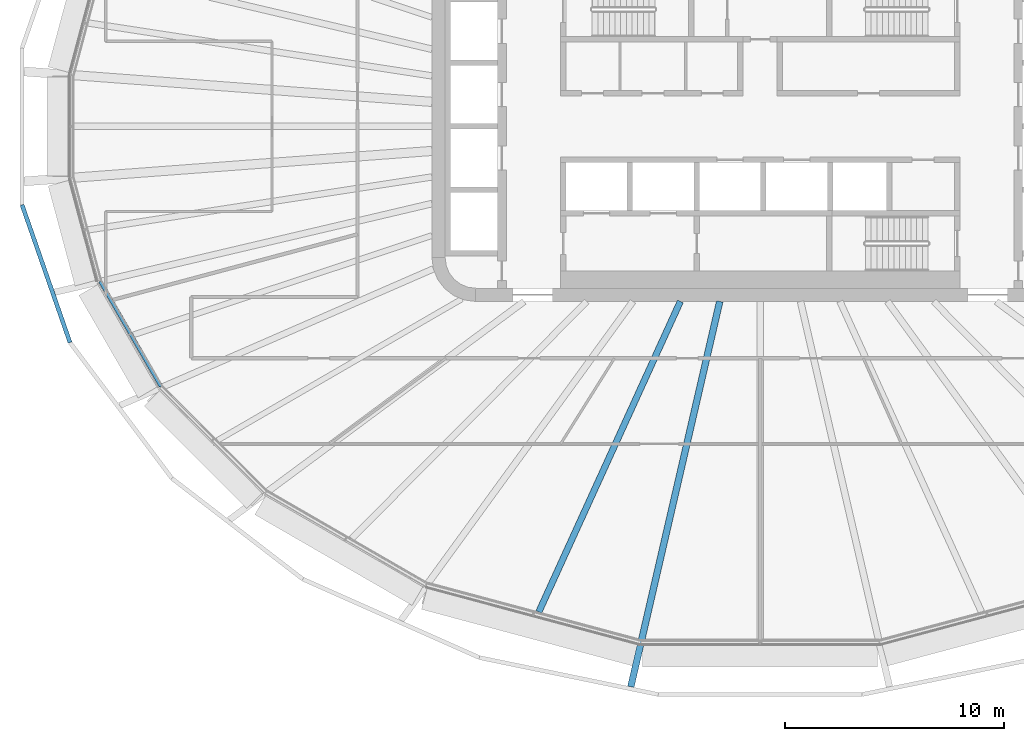
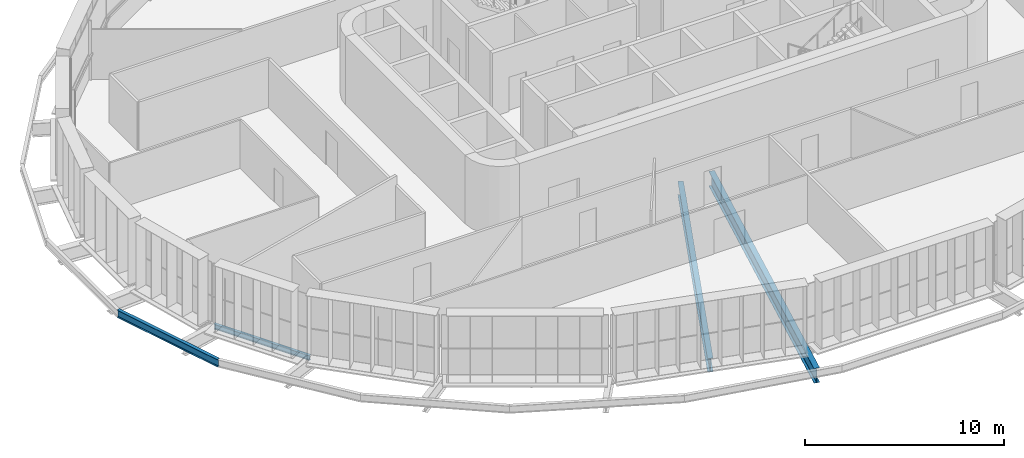
# One storey, part 2 of 25: 4 beams.
"""IFC4 building model written with IfcOpenShell, lengths in metres."""

from ifc_helpers import new_model, si_unit, direction, frame, origin, origin_2d, place, context, subcontext, project, spatial, i_section, extrude, material, material_profile, profile_set, type_object, element, save


model = new_model("IFC4")

# Units and contexts
model_context = context("Model", 3, precision=1e-05, world=origin(), true_north=direction((0.0, 1.0)))
body_context = subcontext(model_context, "Body", "Model", "MODEL_VIEW")
ifc_project = project(units=[si_unit("LENGTHUNIT", "METRE"), si_unit("AREAUNIT", "SQUARE_METRE"), si_unit("VOLUMEUNIT", "CUBIC_METRE"), si_unit("PLANEANGLEUNIT", "RADIAN"), si_unit("MASSUNIT", "GRAM", prefix="KILO")], contexts=[model_context])

# Site, building, storey
site_placement = place(None, origin())
site = spatial("IfcSite", under=ifc_project, at=site_placement, CompositionType="ELEMENT")
building_placement = place(site_placement, origin())
building = spatial("IfcBuilding", under=site, at=building_placement, Name="Sahrelin Media Tower", CompositionType="ELEMENT")
storey_placement = place(building_placement, frame((0.0, 0.0, 139.800048828125)))
storey = spatial("IfcBuildingStorey", under=building, at=storey_placement, Name="L28", CompositionType="ELEMENT", Elevation=139.800048828125)

# Beams
ifc_material = material(Name="Steel S355", Category="steel")
ifc_material_profile_1 = material_profile(ifc_material, i_section(OverallWidth=0.1650390625, OverallDepth=0.303466796875, WebThickness=0.006103515625, FlangeThickness=0.01025390625, FilletRadius=0.0087890625, at=origin_2d()), Name="UB 305x165x40")
ifc_profile_set_1 = profile_set([ifc_material_profile_1], Name="Steel S355")
beam_type_1 = type_object("IfcBeamType", Name="Edge beam EB2", PredefinedType="BEAM", material=ifc_profile_set_1)
beam_1_placement = place(storey_placement, frame((-27.382080078125, -11.880615234375, -0.3017578125), z_axis=(-0.500036242679, 0.866004478053, 0.0), x_axis=(-0.866004478053, -0.500036242679, 0.0)))
element("IfcBeam", 1, at=beam_1_placement, inside=storey, type_object=beam_type_1, Name="Edge beam L28-11", PredefinedType="BEAM", context=body_context, shape_type="SweptSolid", body=[
    extrude(i_section(OverallWidth=0.1650390625, OverallDepth=0.303466796875, WebThickness=0.006103515625, FlangeThickness=0.01025390625, FilletRadius=0.0087890625, at=origin_2d()), origin(), (0.0, 0.0, 1.0), 5.544921875),
])
ifc_material_profile_2 = material_profile(ifc_material, i_section(OverallWidth=0.30322265625, OverallDepth=0.903076171875, WebThickness=0.01513671875, FlangeThickness=0.020263671875, FilletRadius=0.01904296875, at=origin_2d()), Name="UB 914x305x201")
ifc_profile_set_2 = profile_set([ifc_material_profile_2], Name="Steel S355")
beam_type_2 = type_object("IfcBeamType", Name="Radial primary beam PB11", PredefinedType="BEAM", material=ifc_profile_set_2)
beam_2_placement = place(storey_placement, frame((-1.846435546875, -8.0, -0.6015625), z_axis=(-0.224893056719, -0.974383452774, 0.0), x_axis=(0.974383452774, -0.224893056719, 0.0)))
element("IfcBeam", 2, at=beam_2_placement, inside=storey, type_object=beam_type_2, Name="Radial beam L28-18", PredefinedType="BEAM", context=body_context, shape_type="SweptSolid", body=[
    extrude(i_section(OverallWidth=0.30322265625, OverallDepth=0.903076171875, WebThickness=0.01513671875, FlangeThickness=0.020263671875, FilletRadius=0.01904296875, at=origin_2d()), origin(), (0.0, 0.0, 1.0), 18.069580078125),
])
ifc_material_profile_3 = material_profile(ifc_material, i_section(OverallWidth=0.291748046875, OverallDepth=0.8349609375, WebThickness=0.013916015625, FlangeThickness=0.018798828125, FilletRadius=0.017822265625, at=origin_2d()), Name="UB 838x292x176")
ifc_profile_set_3 = profile_set([ifc_material_profile_3], Name="Steel S355")
beam_type_3 = type_object("IfcBeamType", Name="Radial secondary beam SB10", PredefinedType="BEAM", material=ifc_profile_set_3)
beam_3_placement = place(storey_placement, frame((-3.64697265625, -8.0, -0.5673828125), z_axis=(-0.414807797457, -0.909909056538, 0.0), x_axis=(0.909909056538, -0.414807797457, 0.0)))
element("IfcBeam", 3, at=beam_3_placement, inside=storey, type_object=beam_type_3, Name="Secondary beam L28-17", PredefinedType="BEAM", context=body_context, shape_type="SweptSolid", body=[
    extrude(i_section(OverallWidth=0.291748046875, OverallDepth=0.8349609375, WebThickness=0.013916015625, FlangeThickness=0.018798828125, FilletRadius=0.017822265625, at=origin_2d()), origin(), (0.0, 0.0, 1.0), 15.59228515625),
])
ifc_material_profile_4 = material_profile(ifc_material, i_section(OverallWidth=0.1904296875, OverallDepth=0.45703125, WebThickness=0.009033203125, FlangeThickness=0.014404296875, FilletRadius=0.01025390625, at=origin_2d()), Name="UB 457x191x74")
ifc_profile_set_4 = profile_set([ifc_material_profile_4], Name="Steel S355")
beam_type_4 = type_object("IfcBeamType", Name="Tie chord TC5", PredefinedType="BEAM", material=ifc_profile_set_4)
beam_4_placement = place(storey_placement, frame((-33.72998046875, -3.5859375, -0.378662109375), z_axis=(0.328759486364, -0.944413680611, 0.0), x_axis=(0.944413680611, 0.328759486364, 0.0)))
element("IfcBeam", 4, at=beam_4_placement, inside=storey, type_object=beam_type_4, Name="Tie chord L28-13", PredefinedType="BEAM", context=body_context, shape_type="SweptSolid", body=[
    extrude(i_section(OverallWidth=0.1904296875, OverallDepth=0.45703125, WebThickness=0.009033203125, FlangeThickness=0.014404296875, FilletRadius=0.01025390625, at=origin_2d()), origin(), (0.0, 0.0, 1.0), 6.65966796875),
])

save(model, "model.ifc")
